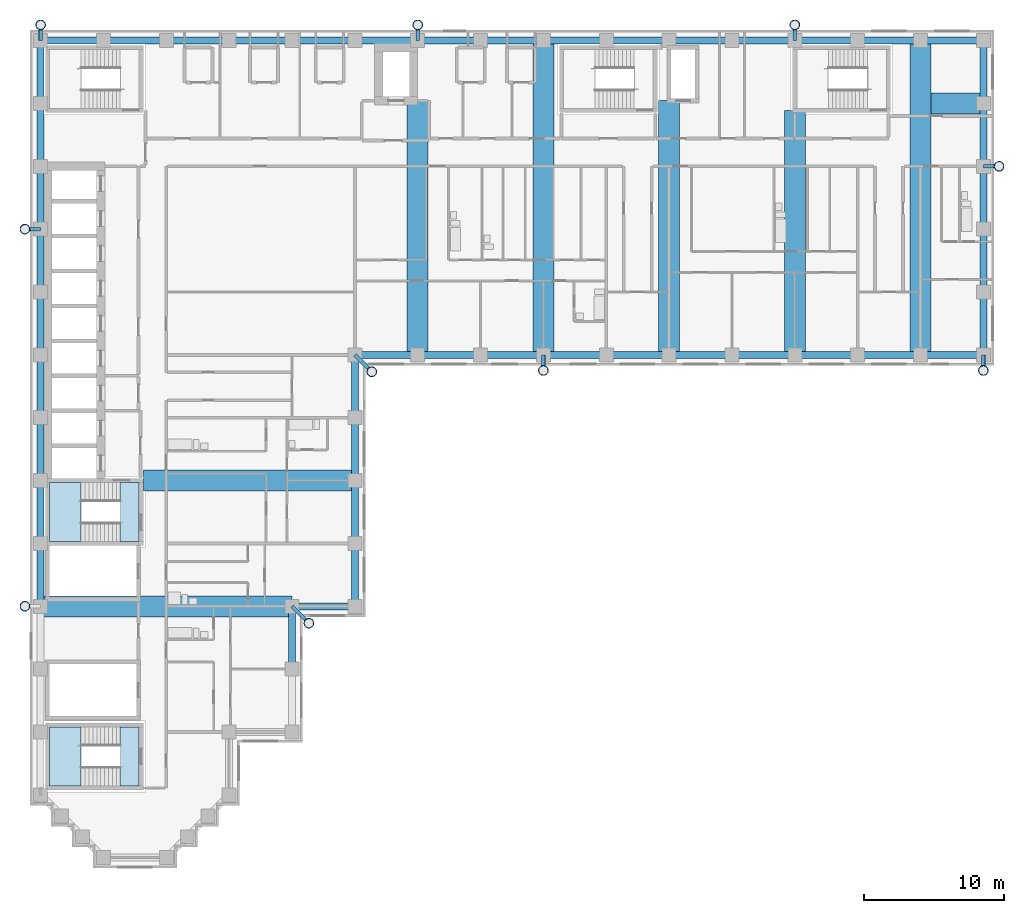
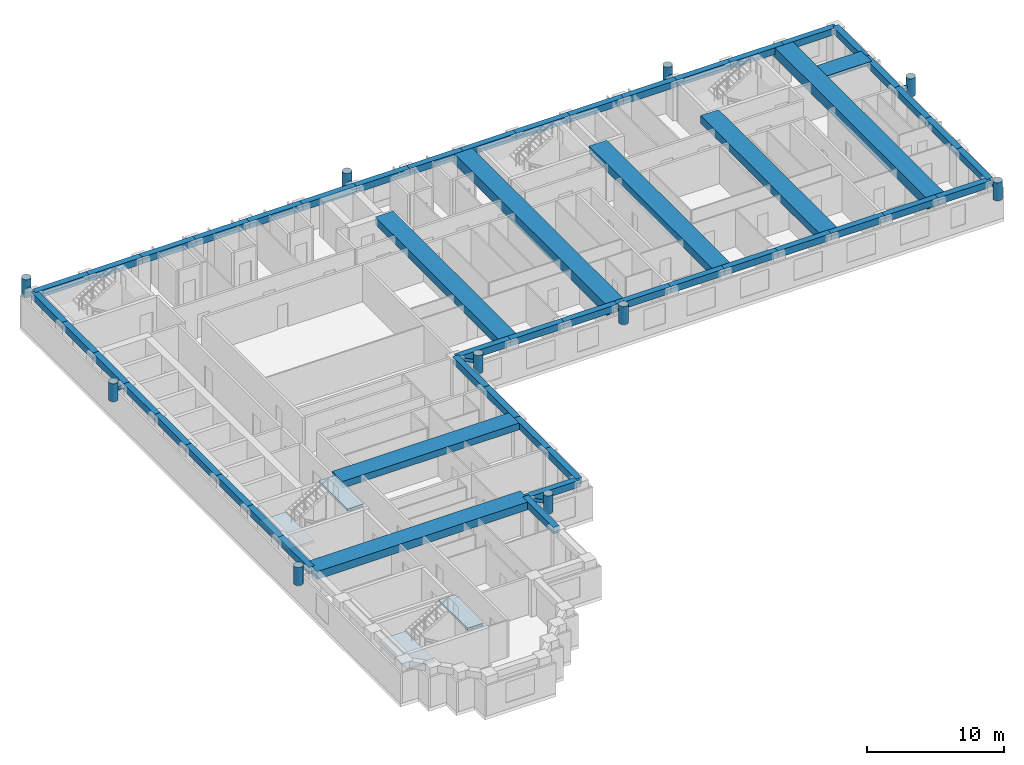
# One storey, part 2 of 14: 53 beams, 19 members, 4 slabs, 2 elements without a shape of their own.
"""IFC4 building model written with IfcOpenShell, lengths in metres."""

from ifc_helpers import new_model, si_unit, direction, frame, origin, origin_2d, place, context, subcontext, project, spatial, polyline, rectangle, hollow_circle, outline, extrude, material, layer, layer_set, material_profile, profile_set, type_object, element, aggregate, save


model = new_model("IFC4")

# Units and contexts
model_context = context("Model", 3, precision=1e-05, world=origin(), true_north=direction((0.0, 1.0)))
body_context = subcontext(model_context, "Body", "Model", "MODEL_VIEW")
ifc_project = project(units=[si_unit("LENGTHUNIT", "METRE"), si_unit("AREAUNIT", "SQUARE_METRE"), si_unit("VOLUMEUNIT", "CUBIC_METRE"), si_unit("PLANEANGLEUNIT", "RADIAN"), si_unit("MASSUNIT", "GRAM", prefix="KILO")], contexts=[model_context])

# Site, building, storey
site_placement = place(None, origin())
site = spatial("IfcSite", under=ifc_project, at=site_placement, CompositionType="ELEMENT")
building_placement = place(site_placement, origin())
building = spatial("IfcBuilding", under=site, at=building_placement, Name="Firuza Court", CompositionType="ELEMENT")
storey_placement = place(building_placement, frame((0.0, 0.0, 159.199951171875)))
storey = spatial("IfcBuildingStorey", under=building, at=storey_placement, Name="L40", CompositionType="ELEMENT", Elevation=159.199951171875)

# Beams
ifc_material_1 = material(Name="Concrete C40/50", Category="concrete")
ifc_material_profile_1 = material_profile(ifc_material_1, rectangle(XDim=1.5, YDim=0.300048828125, at=origin_2d()), Name="RC 1500x300")
ifc_profile_set_1 = profile_set([ifc_material_profile_1], Name="Concrete C40/50")
beam_type_1 = type_object("IfcBeamType", Name="Band beam RC 1500x300 C40/50", PredefinedType="BEAM", material=ifc_profile_set_1)
beam_1_placement = place(storey_placement, frame((67.5, 54.0, 3.150146484375), z_axis=(-1.0, 0.0, 0.0), x_axis=(0.0, -1.0, 0.0)))
element("IfcBeam", 1, at=beam_1_placement, inside=storey, type_object=beam_type_1, Name="Band beam FB6 level L41", PredefinedType="BEAM", context=body_context, shape_type="SweptSolid", body=[
    extrude(rectangle(XDim=1.5, YDim=0.300048828125, at=origin_2d()), origin(), (0.0, 0.0, 1.0), 3.75),
])
ifc_material_2 = material(Name="Concrete C40/50", Category="concrete")
ifc_material_profile_2 = material_profile(ifc_material_2, rectangle(XDim=1.5, YDim=0.60009765625, at=origin_2d()), Name="RC 1500x600")
ifc_profile_set_2 = profile_set([ifc_material_profile_2], Name="Concrete C40/50")
beam_type_2 = type_object("IfcBeamType", Name="Band beam RC 1500x600 C40/50", PredefinedType="BEAM", material=ifc_profile_set_2)
beam_2_placement = place(storey_placement, frame((22.5, 27.0, 3.0), z_axis=(-1.0, 0.0, 0.0), x_axis=(0.0, -1.0, 0.0)))
element("IfcBeam", 2, at=beam_2_placement, inside=storey, type_object=beam_type_2, Name="Band beam FB3 level L41", PredefinedType="BEAM", context=body_context, shape_type="SweptSolid", body=[
    extrude(rectangle(XDim=1.5, YDim=0.60009765625, at=origin_2d()), origin(), (0.0, 0.0, 1.0), 15.14990234375),
])
ifc_material_3 = material(Name="Concrete C40/50", Category="concrete")
ifc_material_profile_3 = material_profile(ifc_material_3, rectangle(XDim=1.5, YDim=0.699951171875, at=origin_2d()), Name="RC 1500x700")
ifc_profile_set_3 = profile_set([ifc_material_profile_3], Name="Concrete C40/50")
beam_type_3 = type_object("IfcBeamType", Name="Band beam RC 1500x700 C40/50", PredefinedType="BEAM", material=ifc_profile_set_3)
beam_3_placement = place(storey_placement, frame((0.0, 18.0, 2.949951171875), z_axis=(1.0, 0.0, 0.0), x_axis=(0.0, 1.0, 0.0)))
element("IfcBeam", 3, at=beam_3_placement, inside=storey, type_object=beam_type_3, Name="Band beam FB1 level L41", PredefinedType="BEAM", context=body_context, shape_type="SweptSolid", body=[
    extrude(rectangle(XDim=1.5, YDim=0.699951171875, at=origin_2d()), origin(), (0.0, 0.0, 1.0), 18.0),
])
for number, where, z_axis, x_axis, name in (
    (4, (27.0, 36.0, 2.949951171875), (0.0, 1.0, 0.0), (-1.0, 0.0, 0.0), "Band beam FB1 level L41"),
    (5, (45.0, 36.0, 2.949951171875), (0.0, 1.0, 0.0), (-1.0, 0.0, 0.0), "Band beam FB1 level L41"),
):
    element("IfcBeam", number, at=place(storey_placement, frame(where, z_axis=z_axis, x_axis=x_axis)), inside=storey, type_object=beam_type_3, Name=name, PredefinedType="BEAM", context=body_context, shape_type="SweptSolid", body=[
        extrude(rectangle(XDim=1.5, YDim=0.699951171875, at=origin_2d()), origin(), (0.0, 0.0, 1.0), 18.199951171875),
    ])
beam_4_placement = place(storey_placement, frame((54.0, 36.0, 2.949951171875), z_axis=(0.0, 1.0, 0.0), x_axis=(-1.0, 0.0, 0.0)))
element("IfcBeam", 6, at=beam_4_placement, inside=storey, type_object=beam_type_3, Name="Band beam FB1 level L41", PredefinedType="BEAM", context=body_context, shape_type="SweptSolid", body=[
    extrude(rectangle(XDim=1.5, YDim=0.699951171875, at=origin_2d()), origin(), (0.0, 0.0, 1.0), 17.5),
])
ifc_material_4 = material(Name="Concrete C40/50", Category="concrete")
ifc_material_profile_4 = material_profile(ifc_material_4, rectangle(XDim=1.5, YDim=0.89990234375, at=origin_2d()), Name="RC 1500x900")
ifc_profile_set_4 = profile_set([ifc_material_profile_4], Name="Concrete C40/50")
beam_type_4 = type_object("IfcBeamType", Name="Band beam RC 1500x900 C40/50", PredefinedType="BEAM", material=ifc_profile_set_4)
for number, where, z_axis, x_axis, name in (
    (7, (36.0, 36.0, 2.85009765625), (0.0, 1.0, 0.0), (-1.0, 0.0, 0.0), "Band beam FB2 level L41"),
    (8, (63.0, 36.0, 2.85009765625), (0.0, 1.0, 0.0), (-1.0, 0.0, 0.0), "Band beam FB2 level L41"),
):
    element("IfcBeam", number, at=place(storey_placement, frame(where, z_axis=z_axis, x_axis=x_axis)), inside=storey, type_object=beam_type_4, Name=name, PredefinedType="BEAM", context=body_context, shape_type="SweptSolid", body=[
        extrude(rectangle(XDim=1.5, YDim=0.89990234375, at=origin_2d()), origin(), (0.0, 0.0, 1.0), 22.5),
    ])

# Members
ifc_material_5 = material(Name="Steel S355", Category="steel")
ifc_material_profile_5 = material_profile(ifc_material_5, hollow_circle(Radius=0.35546875, WallThickness=0.030029296875, at=origin_2d()), Name="CHS 711x30")
ifc_profile_set_5 = profile_set([ifc_material_profile_5], Name="Steel S355")
member_type_1 = type_object("IfcMemberType", Name="Diagrid node CHS 711x30 S355", PredefinedType="USERDEFINED", material=ifc_profile_set_5)
for number, where, z_axis, x_axis, name in (
    (9, (-1.1201171875, 18.0, 2.25), (0.0, 0.0, 1.0), (1.0, 0.0, 0.0), "Diagrid node level L40"),
    (10, (-1.1201171875, 45.0, 2.25), (0.0, 0.0, 1.0), (1.0, 0.0, 0.0), "Diagrid node level L40"),
    (11, (0.0, 59.6201171875, 2.25), (0.0, 0.0, 1.0), (1.0, 0.0, 0.0), "Diagrid node level L40"),
    (12, (19.2099609375, 16.7900390625, 2.25), (0.0, 0.0, 1.0), (1.0, 0.0, 0.0), "Diagrid node level L40"),
    (13, (23.7099609375, 34.7900390625, 2.25), (0.0, 0.0, 1.0), (1.0, 0.0, 0.0), "Diagrid node level L40"),
    (14, (27.0, 59.6201171875, 2.25), (0.0, 0.0, 1.0), (1.0, 0.0, 0.0), "Diagrid node level L40"),
    (15, (36.0, 34.8798828125, 2.25), (0.0, 0.0, 1.0), (1.0, 0.0, 0.0), "Diagrid node level L40"),
    (16, (54.0, 59.6201171875, 2.25), (0.0, 0.0, 1.0), (1.0, 0.0, 0.0), "Diagrid node level L40"),
    (17, (67.5, 34.8798828125, 2.25), (0.0, 0.0, 1.0), (1.0, 0.0, 0.0), "Diagrid node level L40"),
    (18, (68.6201171875, 49.5, 2.25), (0.0, 0.0, 1.0), (1.0, 0.0, 0.0), "Diagrid node level L40"),
):
    element("IfcMember", number, at=place(storey_placement, frame(where, z_axis=z_axis, x_axis=x_axis)), inside=storey, type_object=member_type_1, Name=name, ObjectType="DIAGRID NODE", PredefinedType="USERDEFINED", context=body_context, shape_type="SweptSolid", body=[
        extrude(hollow_circle(Radius=0.35546875, WallThickness=0.030029296875, at=origin_2d()), origin(), (0.0, 0.0, 1.0), 1.60009765625),
    ])
ifc_material_6 = material(Name="Steel S355", Category="steel")
ifc_material_profile_6 = material_profile(ifc_material_6, hollow_circle(Radius=0.136474609375, WallThickness=0.012451171875, at=origin_2d()), Name="CHS 273x12.5")
ifc_profile_set_6 = profile_set([ifc_material_profile_6], Name="Steel S355")
member_type_2 = type_object("IfcMemberType", Name="Diagrid tie CHS 273x12.5 S355", PredefinedType="STRUT", material=ifc_profile_set_6)
for number, where, z_axis, x_axis, name in (
    (19, (0.0, 45.0, 3.050048828125), (-1.0, 0.0, 0.0), (0.0, -1.0, 0.0), "Diagrid tie level L41"),
    (20, (0.0, 58.5, 3.050048828125), (0.0, 1.0, 0.0), (-1.0, 0.0, 0.0), "Diagrid tie level L41"),
):
    element("IfcMember", number, at=place(storey_placement, frame(where, z_axis=z_axis, x_axis=x_axis)), inside=storey, type_object=member_type_2, Name=name, PredefinedType="STRUT", context=body_context, shape_type="SweptSolid", body=[
        extrude(hollow_circle(Radius=0.136474609375, WallThickness=0.012451171875, at=origin_2d()), origin(), (0.0, 0.0, 1.0), 1.1201171875),
    ])
for number, where, z_axis, x_axis, name in (
    (21, (18.0, 18.0, 3.050048828125), (0.707106781187, -0.707106781187, 0.0), (0.707106781187, 0.707106781187, 0.0), "Diagrid tie level L41"),
    (22, (22.5, 36.0, 3.050048828125), (0.707106781187, -0.707106781187, 0.0), (0.707106781187, 0.707106781187, 0.0), "Diagrid tie level L41"),
):
    element("IfcMember", number, at=place(storey_placement, frame(where, z_axis=z_axis, x_axis=x_axis)), inside=storey, type_object=member_type_2, Name=name, PredefinedType="STRUT", context=body_context, shape_type="SweptSolid", body=[
        extrude(hollow_circle(Radius=0.136474609375, WallThickness=0.012451171875, at=origin_2d()), origin(), (0.0, 0.0, 1.0), 1.711181640625),
    ])
for number, where, z_axis, x_axis, name in (
    (23, (27.0, 58.5, 3.050048828125), (0.0, 1.0, 0.0), (-1.0, 0.0, 0.0), "Diagrid tie level L41"),
    (24, (36.0, 36.0, 3.050048828125), (0.0, -1.0, 0.0), (1.0, 0.0, 0.0), "Diagrid tie level L41"),
    (25, (54.0, 58.5, 3.050048828125), (0.0, 1.0, 0.0), (-1.0, 0.0, 0.0), "Diagrid tie level L41"),
    (26, (67.5, 36.0, 3.050048828125), (0.0, -1.0, 0.0), (1.0, 0.0, 0.0), "Diagrid tie level L41"),
    (27, (67.5, 49.5, 3.050048828125), (1.0, 0.0, 0.0), (0.0, 1.0, 0.0), "Diagrid tie level L41"),
):
    element("IfcMember", number, at=place(storey_placement, frame(where, z_axis=z_axis, x_axis=x_axis)), inside=storey, type_object=member_type_2, Name=name, PredefinedType="STRUT", context=body_context, shape_type="SweptSolid", body=[
        extrude(hollow_circle(Radius=0.136474609375, WallThickness=0.012451171875, at=origin_2d()), origin(), (0.0, 0.0, 1.0), 1.1201171875),
    ])

# Beams
ifc_material_7 = material(Name="Concrete C40/50", Category="concrete")
ifc_material_profile_7 = material_profile(ifc_material_7, rectangle(XDim=0.5, YDim=0.60009765625, at=origin_2d()), Name="RC 500x600")
ifc_profile_set_7 = profile_set([ifc_material_profile_7], Name="Concrete C40/50")
beam_type_5 = type_object("IfcBeamType", Name="Spandrel beam RC 500x600 C40/50", PredefinedType="BEAM", material=ifc_profile_set_7)
for number, where, z_axis, x_axis, name in (
    (28, (0.0, 22.5, 3.0), (0.0, -1.0, 0.0), (1.0, 0.0, 0.0), "Spandrel beam SP13 level L41"),
    (29, (0.0, 27.0, 3.0), (0.0, -1.0, 0.0), (1.0, 0.0, 0.0), "Spandrel beam SP13 level L41"),
    (30, (0.0, 31.5, 3.0), (0.0, -1.0, 0.0), (1.0, 0.0, 0.0), "Spandrel beam SP13 level L41"),
    (31, (0.0, 36.0, 3.0), (0.0, -1.0, 0.0), (1.0, 0.0, 0.0), "Spandrel beam SP13 level L41"),
    (32, (0.0, 40.5, 3.0), (0.0, -1.0, 0.0), (1.0, 0.0, 0.0), "Spandrel beam SP13 level L41"),
    (33, (0.0, 45.0, 3.0), (0.0, -1.0, 0.0), (1.0, 0.0, 0.0), "Spandrel beam SP13 level L41"),
    (34, (0.0, 49.5, 3.0), (0.0, -1.0, 0.0), (1.0, 0.0, 0.0), "Spandrel beam SP13 level L41"),
    (35, (0.0, 54.0, 3.0), (0.0, -1.0, 0.0), (1.0, 0.0, 0.0), "Spandrel beam SP13 level L41"),
    (36, (0.0, 58.5, 3.0), (0.0, -1.0, 0.0), (1.0, 0.0, 0.0), "Spandrel beam SP13 level L41"),
    (37, (4.5, 58.5, 3.0), (-1.0, 0.0, 0.0), (0.0, -1.0, 0.0), "Spandrel beam SP13 level L41"),
    (38, (9.0, 58.5, 3.0), (-1.0, 0.0, 0.0), (0.0, -1.0, 0.0), "Spandrel beam SP13 level L41"),
    (39, (13.5, 58.5, 3.0), (-1.0, 0.0, 0.0), (0.0, -1.0, 0.0), "Spandrel beam SP13 level L41"),
    (40, (18.0, 13.5, 3.0), (0.0, 1.0, 0.0), (-1.0, 0.0, 0.0), "Spandrel beam SP13 level L41"),
    (41, (18.0, 18.0, 3.0), (1.0, 0.0, 0.0), (0.0, 1.0, 0.0), "Spandrel beam SP13 level L41"),
    (42, (18.0, 58.5, 3.0), (-1.0, 0.0, 0.0), (0.0, -1.0, 0.0), "Spandrel beam SP13 level L41"),
    (43, (22.5, 18.0, 3.0), (0.0, 1.0, 0.0), (-1.0, 0.0, 0.0), "Spandrel beam SP13 level L41"),
    (44, (22.5, 22.5, 3.0), (0.0, 1.0, 0.0), (-1.0, 0.0, 0.0), "Spandrel beam SP13 level L41"),
    (45, (22.5, 27.0, 3.0), (0.0, 1.0, 0.0), (-1.0, 0.0, 0.0), "Spandrel beam SP13 level L41"),
    (46, (22.5, 31.5, 3.0), (0.0, 1.0, 0.0), (-1.0, 0.0, 0.0), "Spandrel beam SP13 level L41"),
    (47, (22.5, 36.0, 3.0), (1.0, 0.0, 0.0), (0.0, 1.0, 0.0), "Spandrel beam SP13 level L41"),
    (48, (22.5, 58.5, 3.0), (-1.0, 0.0, 0.0), (0.0, -1.0, 0.0), "Spandrel beam SP13 level L41"),
    (49, (27.0, 36.0, 3.0), (1.0, 0.0, 0.0), (0.0, 1.0, 0.0), "Spandrel beam SP13 level L41"),
    (50, (27.0, 58.5, 3.0), (-1.0, 0.0, 0.0), (0.0, -1.0, 0.0), "Spandrel beam SP13 level L41"),
    (51, (31.5, 36.0, 3.0), (1.0, 0.0, 0.0), (0.0, 1.0, 0.0), "Spandrel beam SP13 level L41"),
    (52, (31.5, 58.5, 3.0), (-1.0, 0.0, 0.0), (0.0, -1.0, 0.0), "Spandrel beam SP13 level L41"),
    (53, (36.0, 36.0, 3.0), (1.0, 0.0, 0.0), (0.0, 1.0, 0.0), "Spandrel beam SP13 level L41"),
    (54, (36.0, 58.5, 3.0), (-1.0, 0.0, 0.0), (0.0, -1.0, 0.0), "Spandrel beam SP13 level L41"),
    (55, (40.5, 36.0, 3.0), (1.0, 0.0, 0.0), (0.0, 1.0, 0.0), "Spandrel beam SP13 level L41"),
    (56, (40.5, 58.5, 3.0), (-1.0, 0.0, 0.0), (0.0, -1.0, 0.0), "Spandrel beam SP13 level L41"),
    (57, (45.0, 36.0, 3.0), (1.0, 0.0, 0.0), (0.0, 1.0, 0.0), "Spandrel beam SP13 level L41"),
    (58, (45.0, 58.5, 3.0), (-1.0, 0.0, 0.0), (0.0, -1.0, 0.0), "Spandrel beam SP13 level L41"),
    (59, (49.5, 36.0, 3.0), (1.0, 0.0, 0.0), (0.0, 1.0, 0.0), "Spandrel beam SP13 level L41"),
    (60, (49.5, 58.5, 3.0), (-1.0, 0.0, 0.0), (0.0, -1.0, 0.0), "Spandrel beam SP13 level L41"),
    (61, (54.0, 36.0, 3.0), (1.0, 0.0, 0.0), (0.0, 1.0, 0.0), "Spandrel beam SP13 level L41"),
    (62, (54.0, 58.5, 3.0), (-1.0, 0.0, 0.0), (0.0, -1.0, 0.0), "Spandrel beam SP13 level L41"),
    (63, (58.5, 36.0, 3.0), (1.0, 0.0, 0.0), (0.0, 1.0, 0.0), "Spandrel beam SP13 level L41"),
    (64, (58.5, 58.5, 3.0), (-1.0, 0.0, 0.0), (0.0, -1.0, 0.0), "Spandrel beam SP13 level L41"),
    (65, (63.0, 36.0, 3.0), (1.0, 0.0, 0.0), (0.0, 1.0, 0.0), "Spandrel beam SP13 level L41"),
    (66, (63.0, 58.5, 3.0), (-1.0, 0.0, 0.0), (0.0, -1.0, 0.0), "Spandrel beam SP13 level L41"),
    (67, (67.5, 36.0, 3.0), (0.0, 1.0, 0.0), (-1.0, 0.0, 0.0), "Spandrel beam SP13 level L41"),
    (68, (67.5, 40.5, 3.0), (0.0, 1.0, 0.0), (-1.0, 0.0, 0.0), "Spandrel beam SP13 level L41"),
    (69, (67.5, 45.0, 3.0), (0.0, 1.0, 0.0), (-1.0, 0.0, 0.0), "Spandrel beam SP13 level L41"),
    (70, (67.5, 49.5, 3.0), (0.0, 1.0, 0.0), (-1.0, 0.0, 0.0), "Spandrel beam SP13 level L41"),
    (71, (67.5, 54.0, 3.0), (0.0, 1.0, 0.0), (-1.0, 0.0, 0.0), "Spandrel beam SP13 level L41"),
    (72, (67.5, 58.5, 3.0), (-1.0, 0.0, 0.0), (0.0, -1.0, 0.0), "Spandrel beam SP13 level L41"),
):
    element("IfcBeam", number, at=place(storey_placement, frame(where, z_axis=z_axis, x_axis=x_axis)), inside=storey, type_object=beam_type_5, Name=name, PredefinedType="BEAM", context=body_context, shape_type="SweptSolid", body=[
        extrude(rectangle(XDim=0.5, YDim=0.60009765625, at=origin_2d()), origin(), (0.0, 0.0, 1.0), 4.5),
    ])

# Stair, slabs
ifc_material_8 = material(Name="Concrete C40/50 precast", Category="concrete")
stair_type = type_object("IfcStairType", Name="Stair 1350 x 3600 2 flights", PredefinedType="HALF_TURN_STAIR", material=ifc_material_8)
stair_1_placement = place(storey_placement, origin())
stair_1 = element("IfcStair", 73, at=stair_1_placement, inside=storey, type_object=stair_type, Name="Stair 2 L40", PredefinedType="HALF_TURN_STAIR")
ifc_material_9 = material(Name="Concrete C40/50 precast", Category="concrete")
ifc_layer = layer(ifc_material_9, 0.199951171875)
ifc_layer_set = layer_set([ifc_layer], Name="Concrete C40/50 precast")
slab_type = type_object("IfcSlabType", Name="Stair landing 200", PredefinedType="LANDING", material=ifc_layer_set)
slab_1_placement = place(storey_placement, frame((0.0, 0.0, 1.60009765625)))
slab_1 = element("IfcSlab", 74, at=slab_1_placement, type_object=slab_type, Name="S2 landing 1", PredefinedType="LANDING", context=body_context, shape_type="SweptSolid", body=[
    extrude(outline(polyline([(2.89990234375, 22.64990234375), (2.89990234375, 26.85009765625), (0.64990234375, 26.85009765625), (0.64990234375, 22.64990234375), (2.89990234375, 22.64990234375)])), origin(), (0.0, 0.0, 1.0), 0.199951171875),
])
slab_2_placement = place(storey_placement, frame((0.0, 0.0, 3.400146484375)))
slab_2 = element("IfcSlab", 75, at=slab_2_placement, type_object=slab_type, Name="S2 landing 2", PredefinedType="LANDING", context=body_context, shape_type="SweptSolid", body=[
    extrude(outline(polyline([(7.050048828125, 22.64990234375), (7.050048828125, 26.85009765625), (5.699951171875, 26.85009765625), (5.699951171875, 22.64990234375), (7.050048828125, 22.64990234375)])), origin(), (0.0, 0.0, 1.0), 0.199951171875),
])
aggregate(stair_1, [slab_1, slab_2])

stair_2_placement = place(storey_placement, origin())
stair_2 = element("IfcStair", 76, at=stair_2_placement, inside=storey, type_object=stair_type, Name="Stair 5 L40", PredefinedType="HALF_TURN_STAIR")
slab_3_placement = place(storey_placement, frame((0.0, 0.0, 1.60009765625)))
slab_3 = element("IfcSlab", 77, at=slab_3_placement, type_object=slab_type, Name="S5 landing 1", PredefinedType="LANDING", context=body_context, shape_type="SweptSolid", body=[
    extrude(outline(polyline([(2.89990234375, 5.14990234375), (2.89990234375, 9.35009765625), (0.64990234375, 9.35009765625), (0.64990234375, 5.14990234375), (2.89990234375, 5.14990234375)])), origin(), (0.0, 0.0, 1.0), 0.199951171875),
])
slab_4_placement = place(storey_placement, frame((0.0, 0.0, 3.400146484375)))
slab_4 = element("IfcSlab", 78, at=slab_4_placement, type_object=slab_type, Name="S5 landing 2", PredefinedType="LANDING", context=body_context, shape_type="SweptSolid", body=[
    extrude(outline(polyline([(7.050048828125, 5.14990234375), (7.050048828125, 9.35009765625), (5.699951171875, 9.35009765625), (5.699951171875, 5.14990234375), (7.050048828125, 5.14990234375)])), origin(), (0.0, 0.0, 1.0), 0.199951171875),
])
aggregate(stair_2, [slab_3, slab_4])

save(model, "model.ifc")
